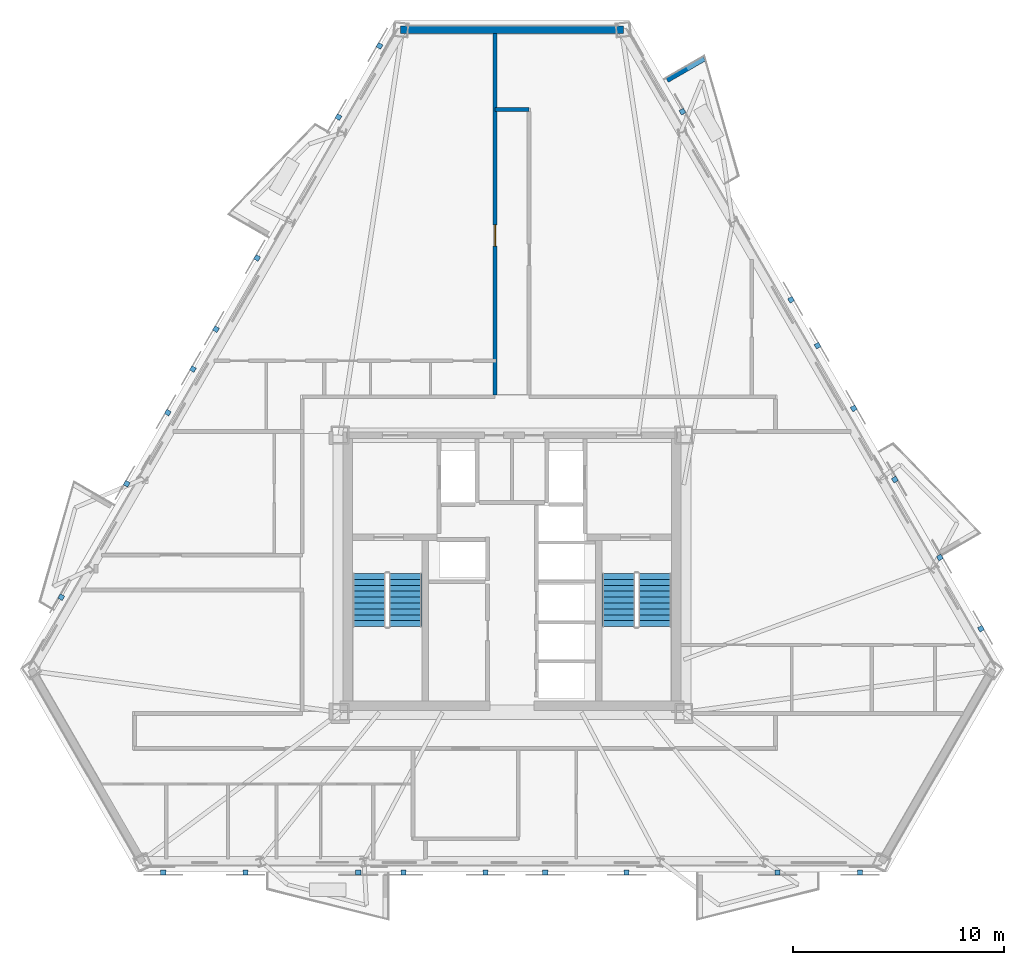
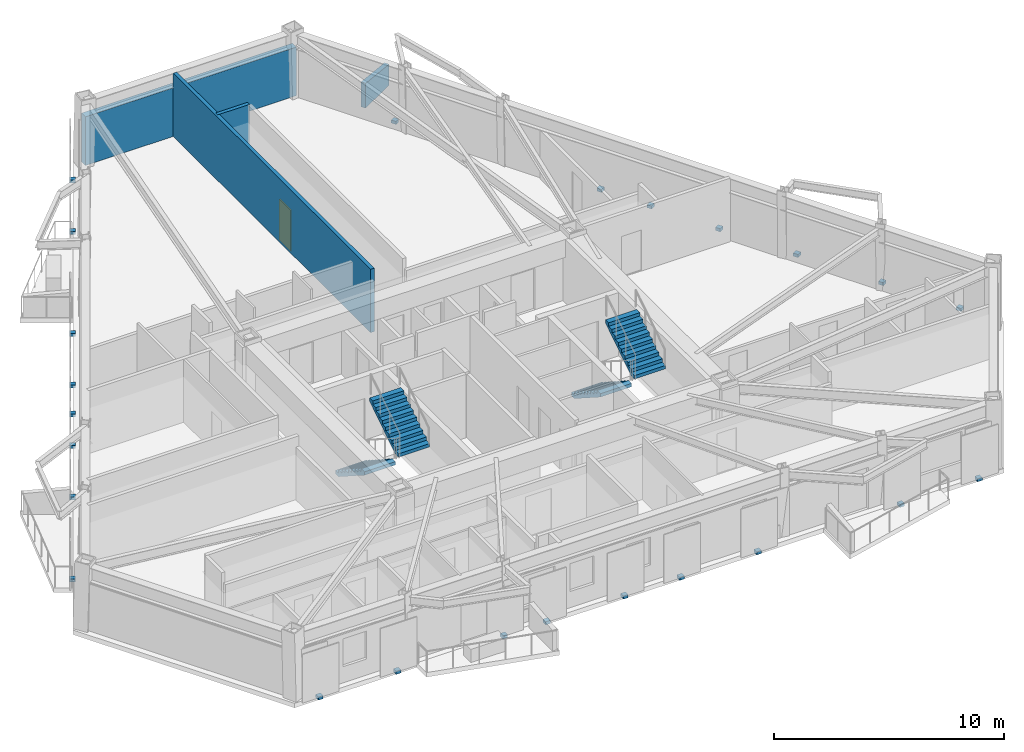
# One storey, part 6 of 9: 24 discrete accessories, 4 stair flights, 4 walls, 1 door, 1 opening, 2 elements without a shape of their own.
"""IFC4 building model written with IfcOpenShell, lengths in metres."""

from ifc_helpers import new_model, si_unit, direction, frame, frame_2d, origin, origin_2d, place, context, subcontext, project, spatial, polyline, rectangle, outline, extrude, material, layer, layer_set, type_object, element, fill, aggregate, save


model = new_model("IFC4")

# Units and contexts
model_context = context("Model", 3, precision=1e-05, world=origin(), true_north=direction((0.0, 1.0)))
body_context = subcontext(model_context, "Body", "Model", "MODEL_VIEW")
ifc_project = project(units=[si_unit("LENGTHUNIT", "METRE"), si_unit("AREAUNIT", "SQUARE_METRE"), si_unit("VOLUMEUNIT", "CUBIC_METRE"), si_unit("PLANEANGLEUNIT", "RADIAN"), si_unit("MASSUNIT", "GRAM", prefix="KILO")], contexts=[model_context])

# Site, building, storey
site_placement = place(None, origin())
site = spatial("IfcSite", under=ifc_project, at=site_placement, CompositionType="ELEMENT")
building_placement = place(site_placement, origin())
building = spatial("IfcBuilding", under=site, at=building_placement, Name="Oramaril Tower", CompositionType="ELEMENT")
storey_placement = place(building_placement, frame((0.0, 0.0, 126.60009765625)))
storey = spatial("IfcBuildingStorey", under=building, at=storey_placement, Name="L33", CompositionType="ELEMENT", Elevation=126.60009765625)

# Walls
ifc_material_1 = material(Name="Warm Cream Limestone", Category="masonry")
ifc_layer_1 = layer(ifc_material_1, 0.340087890625)
ifc_layer_set_1 = layer_set([ifc_layer_1], Name="WT-EXT34")
wall_type_1 = type_object("IfcWallType", Name="WT-EXT34", PredefinedType="SOLIDWALL", material=ifc_layer_set_1)
wall_1_placement = place(storey_placement, frame((42.7861328125, 43.387451171875, 0.0), z_axis=(0.0, 0.0, 1.0), x_axis=(-1.0, 0.0, 0.0)))
element("IfcWall", 1, at=wall_1_placement, inside=storey, type_object=wall_type_1, Name="L33 Tower Limestone Facade Wall 5M", PredefinedType="SOLIDWALL", context=body_context, shape_type="SweptSolid", body=[
    extrude(rectangle(XDim=10.572265625, YDim=0.340087890625, at=frame_2d((5.2861328125, 0.0))), origin(), (0.0, 0.0, 1.0), 2.577880859375),
])
ifc_material_2 = material(Name="Concrete C40/50", Category="concrete")
ifc_layer_2 = layer(ifc_material_2, 0.22998046875)
ifc_layer_set_2 = layer_set([ifc_layer_2], Name="WT-PRP23")
wall_type_2 = type_object("IfcWallType", Name="WT-PRP23", PredefinedType="PARAPET", material=ifc_layer_set_2)
wall_2_placement = place(storey_placement, frame((44.861083984375, 40.9892578125, 0.0), z_axis=(0.0, 0.0, 1.0), x_axis=(0.866042246008, 0.499970827278, 0.0)))
element("IfcWall", 2, at=wall_2_placement, inside=storey, type_object=wall_type_2, Name="L33 Trapezoidal Balcony Frame Cheek L33-BAL-NE2-R", PredefinedType="PARAPET", context=body_context, shape_type="SweptSolid", body=[
    extrude(outline(polyline([(0.0, 0.0), (2.0419921875, 0.0), (2.0419921875, 1.099853515625), (0.0, 1.31982421875), (0.0, 0.0)])), frame((0.0, 0.114990234375, 0.0), z_axis=(0.0, -1.0, 0.0), x_axis=(1.0, 0.0, 0.0)), (0.0, 0.0, 1.0), 0.22998046875),
])
ifc_material_3 = material(Name="Autoclaved Cellular Concrete Block", Category="concrete")
ifc_layer_3 = layer(ifc_material_3, 0.179931640625)
ifc_layer_set_3 = layer_set([ifc_layer_3], Name="WT-PT18")
wall_type_3 = type_object("IfcWallType", Name="WT-PT18", PredefinedType="PARTITIONING", material=ifc_layer_set_3)
wall_3_placement = place(storey_placement, frame((36.699951171875, 39.60009765625, 0.0), z_axis=(0.0, 0.0, 1.0), x_axis=(1.0, 0.0, 0.0)))
element("IfcWall", 3, at=wall_3_placement, inside=storey, type_object=wall_type_3, Name="L33 Interior Partition PT-18", PredefinedType="PARTITIONING", context=body_context, shape_type="SweptSolid", body=[
    extrude(rectangle(XDim=1.60009765625, YDim=0.179931640625, at=frame_2d((0.800048828125, 0.0))), origin(), (0.0, 0.0, 1.0), 3.35986328125),
])

# Wall, opening, door
wall_4_placement = place(storey_placement, frame((36.699951171875, 26.06396484375, 0.0), z_axis=(0.0, 0.0, 1.0), x_axis=(0.0, 1.0, 0.0)))
wall_4 = element("IfcWall", 4, at=wall_4_placement, inside=storey, type_object=wall_type_3, Name="L33 Interior Partition PT-18", PredefinedType="PARTITIONING", context=body_context, shape_type="SweptSolid", body=[
    extrude(rectangle(XDim=17.1494140625, YDim=0.179931640625, at=frame_2d((8.57470703125, 0.0))), origin(), (0.0, 0.0, 1.0), 3.35986328125),
])
opening_placement = place(wall_4_placement, frame((7.06005859375, 0.0, 0.0)))
opening = element("IfcOpeningElement", 5, at=opening_placement, cuts=wall_4, Name="Opening D-L33-22", PredefinedType="OPENING", context=body_context, shape_type="SweptSolid", body=[
    extrude(rectangle(XDim=1.0, YDim=2.179931640625, at=frame_2d((0.5, 1.08984375))), frame((0.0, 0.08984375, 0.0), z_axis=(0.0, -1.0, 0.0), x_axis=(1.0, 0.0, 0.0)), (0.0, 0.0, 1.0), 0.179931640625),
])
ifc_material_4 = material(Name="FSC Brazilian Freijo Hardwood", Category="wood")
door_type = type_object("IfcDoorType", Name="DT-APT", OperationType="NOTDEFINED", PredefinedType="DOOR", material=ifc_material_4)
door_placement = place(opening_placement, origin())
door = element("IfcDoor", 6, at=door_placement, inside=storey, type_object=door_type, Name="L33 Flat L33-U5 Studio Apartment Door D-L33-22", OperationType="SINGLE_SWING_LEFT", OverallHeight=2.179931640625, OverallWidth=1.0, PredefinedType="DOOR", context=body_context, shape_type="SweptSolid", body=[
    extrude(rectangle(XDim=1.0, YDim=2.179931640625, at=frame_2d((0.5, 1.08984375))), frame((0.0, 0.02490234375, 0.0), z_axis=(0.0, -1.0, 0.0), x_axis=(1.0, 0.0, 0.0)), (0.0, 0.0, 1.0), 0.050048828125),
])
fill(opening, door)

# Stair, stair flights
ifc_material_5 = material(Name="Concrete C50/60", Category="concrete")
stair_type = type_object("IfcStairType", Name="STT-DG-3600", PredefinedType="HALF_TURN_STAIR", material=ifc_material_5)
stair_1_placement = place(storey_placement, origin())
stair_1 = element("IfcStair", 7, at=stair_1_placement, inside=storey, type_object=stair_type, Name="L33 Protected PFP Exit Stair ST-1", PredefinedType="HALF_TURN_STAIR")
ifc_material_6 = material(Name="Concrete C50/60", Category="concrete")
stair_flight_type = type_object("IfcStairFlightType", Name="SFT-DG-3600", PredefinedType="STRAIGHT", material=ifc_material_6)
stair_flight_1_placement = place(storey_placement, frame((30.72998046875, 17.590087890625, 0.0), z_axis=(0.0, 0.0, 1.0), x_axis=(0.0, -1.0, 0.0)))
stair_flight_1 = element("IfcStairFlight", 8, at=stair_flight_1_placement, type_object=stair_flight_type, Name="ST-1 flight 1", NumberOfRisers=10, NumberOfTreads=9, PredefinedType="STRAIGHT", RiserHeight=0.18, TreadLength=0.28, context=body_context, shape_type="SweptSolid", body=[
    extrude(outline(polyline([(0.0, 0.0), (0.0, 0.179931640625), (0.280029296875, 0.179931640625), (0.280029296875, 0.360107421875), (0.56005859375, 0.360107421875), (0.56005859375, 0.5400390625), (0.840087890625, 0.5400390625), (0.840087890625, 0.719970703125), (1.1201171875, 0.719970703125), (1.1201171875, 0.89990234375), (1.39990234375, 0.89990234375), (1.39990234375, 1.080078125), (1.679931640625, 1.080078125), (1.679931640625, 1.260009765625), (1.9599609375, 1.260009765625), (1.9599609375, 1.43994140625), (2.239990234375, 1.43994140625), (2.239990234375, 1.6201171875), (2.52001953125, 1.6201171875), (2.52001953125, 1.800048828125), (2.52001953125, 1.44189453125), (0.277099609375, 0.0), (0.0, 0.0)])), frame((0.0, 0.780029296875, 0.0), z_axis=(0.0, -1.0, 0.0), x_axis=(1.0, 0.0, 0.0)), (0.0, 0.0, 1.0), 1.56005859375),
])
stair_flight_2_placement = place(storey_placement, frame((32.43994140625, 15.070068359375, 1.7998046875), z_axis=(0.0, 0.0, 1.0), x_axis=(0.0, 1.0, 0.0)))
stair_flight_2 = element("IfcStairFlight", 9, at=stair_flight_2_placement, type_object=stair_flight_type, Name="ST-1 flight 2", NumberOfRisers=10, NumberOfTreads=9, PredefinedType="STRAIGHT", RiserHeight=0.18, TreadLength=0.28, context=body_context, shape_type="SweptSolid", body=[
    extrude(outline(polyline([(0.0, 0.0), (0.0, 0.179931640625), (0.280029296875, 0.179931640625), (0.280029296875, 0.360107421875), (0.56005859375, 0.360107421875), (0.56005859375, 0.5400390625), (0.840087890625, 0.5400390625), (0.840087890625, 0.719970703125), (1.1201171875, 0.719970703125), (1.1201171875, 0.89990234375), (1.39990234375, 0.89990234375), (1.39990234375, 1.080078125), (1.679931640625, 1.080078125), (1.679931640625, 1.260009765625), (1.9599609375, 1.260009765625), (1.9599609375, 1.43994140625), (2.239990234375, 1.43994140625), (2.239990234375, 1.6201171875), (2.52001953125, 1.6201171875), (2.52001953125, 1.800048828125), (2.52001953125, 1.44189453125), (0.277099609375, 0.0), (0.0, 0.0)])), frame((0.0, 0.780029296875, 0.0), z_axis=(0.0, -1.0, 0.0), x_axis=(1.0, 0.0, 0.0)), (0.0, 0.0, 1.0), 1.56005859375),
])
aggregate(stair_1, [stair_flight_1, stair_flight_2])

stair_2_placement = place(storey_placement, origin())
stair_2 = element("IfcStair", 10, at=stair_2_placement, inside=storey, type_object=stair_type, Name="L33 Protected PFP Exit Stair ST-2", PredefinedType="HALF_TURN_STAIR")
stair_flight_3_placement = place(storey_placement, frame((42.56005859375, 17.590087890625, 0.0), z_axis=(0.0, 0.0, 1.0), x_axis=(0.0, -1.0, 0.0)))
stair_flight_3 = element("IfcStairFlight", 11, at=stair_flight_3_placement, type_object=stair_flight_type, Name="ST-2 flight 1", NumberOfRisers=10, NumberOfTreads=9, PredefinedType="STRAIGHT", RiserHeight=0.18, TreadLength=0.28, context=body_context, shape_type="SweptSolid", body=[
    extrude(outline(polyline([(0.0, 0.0), (0.0, 0.179931640625), (0.280029296875, 0.179931640625), (0.280029296875, 0.360107421875), (0.56005859375, 0.360107421875), (0.56005859375, 0.5400390625), (0.840087890625, 0.5400390625), (0.840087890625, 0.719970703125), (1.1201171875, 0.719970703125), (1.1201171875, 0.89990234375), (1.39990234375, 0.89990234375), (1.39990234375, 1.080078125), (1.679931640625, 1.080078125), (1.679931640625, 1.260009765625), (1.9599609375, 1.260009765625), (1.9599609375, 1.43994140625), (2.239990234375, 1.43994140625), (2.239990234375, 1.6201171875), (2.52001953125, 1.6201171875), (2.52001953125, 1.800048828125), (2.52001953125, 1.44189453125), (0.277099609375, 0.0), (0.0, 0.0)])), frame((0.0, 0.780029296875, 0.0), z_axis=(0.0, -1.0, 0.0), x_axis=(1.0, 0.0, 0.0)), (0.0, 0.0, 1.0), 1.56005859375),
])
stair_flight_4_placement = place(storey_placement, frame((44.27001953125, 15.070068359375, 1.7998046875), z_axis=(0.0, 0.0, 1.0), x_axis=(0.0, 1.0, 0.0)))
stair_flight_4 = element("IfcStairFlight", 12, at=stair_flight_4_placement, type_object=stair_flight_type, Name="ST-2 flight 2", NumberOfRisers=10, NumberOfTreads=9, PredefinedType="STRAIGHT", RiserHeight=0.18, TreadLength=0.28, context=body_context, shape_type="SweptSolid", body=[
    extrude(outline(polyline([(0.0, 0.0), (0.0, 0.179931640625), (0.280029296875, 0.179931640625), (0.280029296875, 0.360107421875), (0.56005859375, 0.360107421875), (0.56005859375, 0.5400390625), (0.840087890625, 0.5400390625), (0.840087890625, 0.719970703125), (1.1201171875, 0.719970703125), (1.1201171875, 0.89990234375), (1.39990234375, 0.89990234375), (1.39990234375, 1.080078125), (1.679931640625, 1.080078125), (1.679931640625, 1.260009765625), (1.9599609375, 1.260009765625), (1.9599609375, 1.43994140625), (2.239990234375, 1.43994140625), (2.239990234375, 1.6201171875), (2.52001953125, 1.6201171875), (2.52001953125, 1.800048828125), (2.52001953125, 1.44189453125), (0.277099609375, 0.0), (0.0, 0.0)])), frame((0.0, 0.780029296875, 0.0), z_axis=(0.0, -1.0, 0.0), x_axis=(1.0, 0.0, 0.0)), (0.0, 0.0, 1.0), 1.56005859375),
])
aggregate(stair_2, [stair_flight_3, stair_flight_4])

# Discrete accessories
for number, where, z_axis, x_axis, name in (
    (13, (32.3447265625, 3.398193359375, -0.14013671875), (0.0, 0.0, 1.0), (1.0, 0.0, 0.0), "L33 Solar Screen Slab Bracket"),
    (14, (36.244873046875, 3.398193359375, -0.14013671875), (0.0, 0.0, 1.0), (1.0, 0.0, 0.0), "L33 Solar Screen Slab Bracket"),
    (15, (39.076171875, 3.398193359375, -0.14013671875), (0.0, 0.0, 1.0), (1.0, 0.0, 0.0), "L33 Solar Screen Slab Bracket"),
    (16, (42.941650390625, 3.398193359375, -0.14013671875), (0.0, 0.0, 1.0), (1.0, 0.0, 0.0), "L33 Solar Screen Slab Bracket"),
    (17, (50.102294921875, 3.398193359375, -0.14013671875), (0.0, 0.0, 1.0), (1.0, 0.0, 0.0), "L33 Solar Screen Slab Bracket"),
    (18, (54.00244140625, 3.398193359375, -0.14013671875), (0.0, 0.0, 1.0), (1.0, 0.0, 0.0), "L33 Solar Screen Slab Bracket"),
    (19, (20.95458984375, 3.398193359375, -0.14013671875), (0.0, 0.0, 1.0), (1.0, 0.0, 0.0), "L33 Solar Screen Slab Bracket"),
    (20, (24.8544921875, 3.398193359375, -0.14013671875), (0.0, 0.0, 1.0), (1.0, 0.0, 0.0), "L33 Solar Screen Slab Bracket"),
    (21, (30.205078125, 3.398193359375, -0.14013671875), (0.0, 0.0, 1.0), (1.0, 0.0, 0.0), "L33 Solar Screen Slab Bracket"),
    (22, (59.748291015625, 14.968017578125, -0.14013671875), (0.0, 0.0, 1.0), (-0.4999984885, 0.866026276448, 0.0), "L33 Solar Screen Slab Bracket"),
    (23, (57.79833984375, 18.345703125, -0.14013671875), (0.0, 0.0, 1.0), (-0.4999984885, 0.866026276448, 0.0), "L33 Solar Screen Slab Bracket"),
    (24, (55.663818359375, 22.04248046875, -0.14013671875), (0.0, 0.0, 1.0), (-0.4999984885, 0.866026276448, 0.0), "L33 Solar Screen Slab Bracket"),
    (25, (53.7138671875, 25.419921875, -0.14013671875), (0.0, 0.0, 1.0), (-0.4999984885, 0.866026276448, 0.0), "L33 Solar Screen Slab Bracket"),
    (26, (45.584228515625, 39.5009765625, -0.14013671875), (0.0, 0.0, 1.0), (-0.4999984885, 0.866026276448, 0.0), "L33 Solar Screen Slab Bracket"),
    (27, (51.994873046875, 28.3974609375, -0.14013671875), (0.0, 0.0, 1.0), (-0.4999984885, 0.866026276448, 0.0), "L33 Solar Screen Slab Bracket"),
    (28, (50.739013671875, 30.572509765625, -0.14013671875), (0.0, 0.0, 1.0), (-0.4999984885, 0.866026276448, 0.0), "L33 Solar Screen Slab Bracket"),
    (29, (16.1162109375, 16.465576171875, -0.14013671875), (0.0, 0.0, 1.0), (-0.4999984885, -0.866026276448, 0.0), "L33 Solar Screen Slab Bracket"),
    (30, (21.171630859375, 25.2216796875, -0.14013671875), (0.0, 0.0, 1.0), (-0.4999984885, -0.866026276448, 0.0), "L33 Solar Screen Slab Bracket"),
    (31, (19.2216796875, 21.843994140625, -0.14013671875), (0.0, 0.0, 1.0), (-0.4999984885, -0.866026276448, 0.0), "L33 Solar Screen Slab Bracket"),
    (32, (31.21630859375, 42.619384765625, -0.14013671875), (0.0, 0.0, 1.0), (-0.4999984885, -0.866026276448, 0.0), "L33 Solar Screen Slab Bracket"),
    (33, (29.26611328125, 39.241943359375, -0.14013671875), (0.0, 0.0, 1.0), (-0.4999984885, -0.866026276448, 0.0), "L33 Solar Screen Slab Bracket"),
    (34, (25.40625, 32.55615234375, -0.14013671875), (0.0, 0.0, 1.0), (-0.4999984885, -0.866026276448, 0.0), "L33 Solar Screen Slab Bracket"),
    (35, (23.456298828125, 29.1787109375, -0.14013671875), (0.0, 0.0, 1.0), (-0.4999984885, -0.866026276448, 0.0), "L33 Solar Screen Slab Bracket"),
    (36, (22.36328125, 27.28564453125, -0.14013671875), (0.0, 0.0, 1.0), (-0.4999984885, -0.866026276448, 0.0), "L33 Solar Screen Slab Bracket"),
):
    element("IfcDiscreteAccessory", number, at=place(storey_placement, frame(where, z_axis=z_axis, x_axis=x_axis)), inside=storey, Name=name, PredefinedType="BRACKET", context=body_context, shape_type="SweptSolid", body=[
        extrude(rectangle(XDim=0.239990234375, YDim=0.239990234375, at=origin_2d()), origin(), (0.0, 0.0, 1.0), 0.159912109375),
    ])

save(model, "model.ifc")
